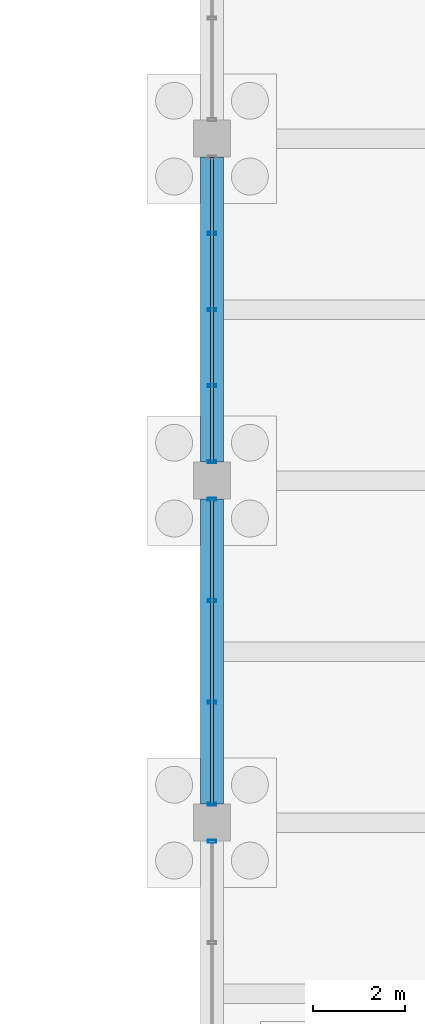
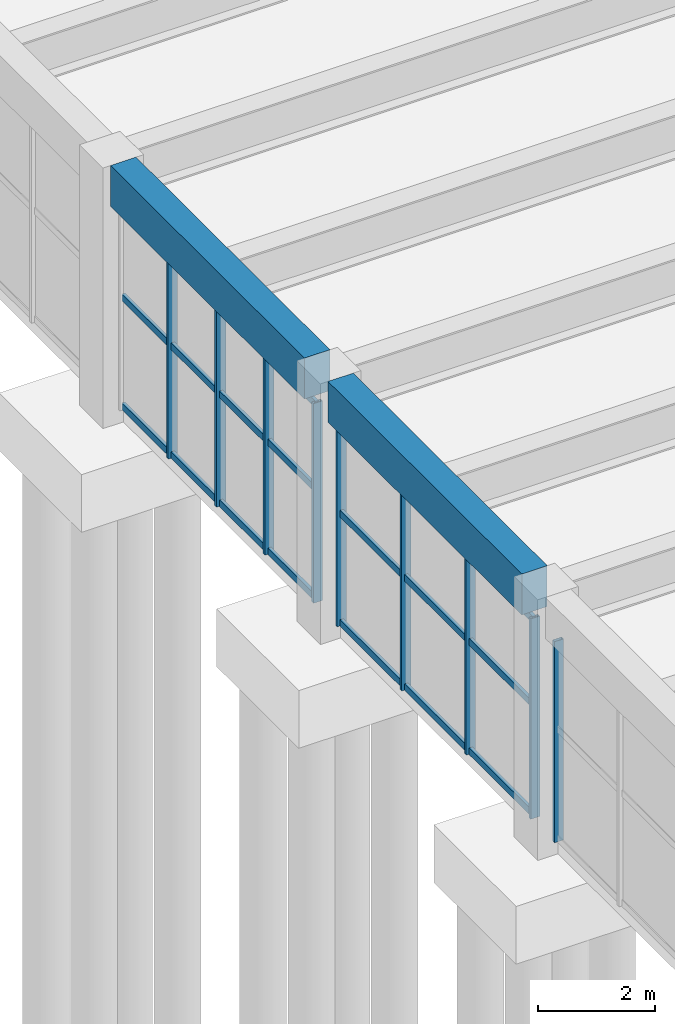
# One storey, part 74 of 140: 15 members, 2 beams, 3 elements without a shape of their own.
"""IFC4 building model written with IfcOpenShell, lengths in metres."""

from ifc_helpers import new_model, si_unit, direction, frame, origin, origin_2d, place, context, subcontext, project, spatial, rectangle, hollow_rectangle, extrude, material, material_profile, profile_set, type_object, element, aggregate, save


model = new_model("IFC4")

# Units and contexts
model_context = context("Model", 3, precision=1e-05, world=origin(), true_north=direction((0.0, 1.0)))
body_context = subcontext(model_context, "Body", "Model", "MODEL_VIEW")
ifc_project = project(units=[si_unit("LENGTHUNIT", "METRE"), si_unit("AREAUNIT", "SQUARE_METRE"), si_unit("VOLUMEUNIT", "CUBIC_METRE"), si_unit("PLANEANGLEUNIT", "RADIAN"), si_unit("MASSUNIT", "GRAM", prefix="KILO")], contexts=[model_context])

# Site, building, storey
site_placement = place(None, origin())
site = spatial("IfcSite", under=ifc_project, at=site_placement, CompositionType="ELEMENT")
building_placement = place(site_placement, origin())
building = spatial("IfcBuilding", under=site, at=building_placement, Name="Cimatlan Art Gallery", CompositionType="ELEMENT")
storey_placement = place(building_placement, origin())
storey = spatial("IfcBuildingStorey", under=building, at=storey_placement, Name="L00", CompositionType="ELEMENT", Elevation=0.0)

# Beams
ifc_material_1 = material(Name="Concrete C40/50", Category="concrete")
ifc_material_profile_1 = material_profile(ifc_material_1, rectangle(XDim=0.5, YDim=0.85009765625, at=origin_2d()), Name="RC500X850")
ifc_profile_set_1 = profile_set([ifc_material_profile_1], Name="Concrete C40/50")
beam_type = type_object("IfcBeamType", Name="BM-RC-500X850", PredefinedType="BEAM", material=ifc_profile_set_1)
for number, where, z_axis, x_axis, name in (
    (1, (74.89990234375, 83.5, 4.7099609375), (0.0, 1.0, 0.0), (-1.0, 0.0, 0.0), "BM-Y-L00-09-11"),
    (2, (74.89990234375, 90.89990234375, 4.7099609375), (0.0, 1.0, 0.0), (-1.0, 0.0, 0.0), "BM-Y-L00-09-12"),
):
    element("IfcBeam", number, at=place(storey_placement, frame(where, z_axis=z_axis, x_axis=x_axis)), inside=storey, type_object=beam_type, Name=name, PredefinedType="BEAM", context=body_context, shape_type="SweptSolid", body=[
        extrude(rectangle(XDim=0.5, YDim=0.85009765625, at=origin_2d()), origin(), (0.0, 0.0, 1.0), 6.60009765625),
    ])

# Curtain wall, member
ifc_material_2 = material(Name="Anodised bronze unitised curtain wall")
curtain_wall_type_1 = type_object("IfcCurtainWallType", Name="CW-V-06592X04178-B3", PredefinedType="NOTDEFINED", material=ifc_material_2)
curtain_wall_1_placement = place(storey_placement, origin())
curtain_wall_1 = element("IfcCurtainWall", 3, at=curtain_wall_1_placement, inside=storey, type_object=curtain_wall_type_1, Name="CW-L00-09-10-W", PredefinedType="NOTDEFINED")
ifc_material_3 = material(Name="Anodised bronze aluminium 6063-T6", Category="aluminium")
ifc_material_profile_2 = material_profile(ifc_material_3, hollow_rectangle(XDim=0.06494140625, YDim=0.179931640625, WallThickness=0.00390625, at=origin_2d()), Name="ALU65X180X4")
ifc_profile_set_2 = profile_set([ifc_material_profile_2], Name="Anodised bronze aluminium 6063-T6")
member_type_1 = type_object("IfcMemberType", Name="CW-MUL-180", PredefinedType="MULLION", material=ifc_profile_set_2)
member_1_placement = place(storey_placement, frame((74.89990234375, 82.696044921875, 0.0), z_axis=(0.0, 0.0, 1.0), x_axis=(0.0, 1.0, 0.0)))
member_1 = element("IfcMember", 4, at=member_1_placement, type_object=member_type_1, Name="CW-L00-09-10-W-M4", PredefinedType="MULLION", context=body_context, shape_type="SweptSolid", body=[
    extrude(hollow_rectangle(XDim=0.06494140625, YDim=0.179931640625, WallThickness=0.00390625, at=origin_2d()), origin(), (0.0, 0.0, 1.0), 4.177978515625),
])
aggregate(curtain_wall_1, [member_1])

# Curtain wall, members
curtain_wall_type_2 = type_object("IfcCurtainWallType", Name="CW-V-06592X04163-B3", PredefinedType="NOTDEFINED", material=ifc_material_2)
curtain_wall_2_placement = place(storey_placement, origin())
curtain_wall_2 = element("IfcCurtainWall", 5, at=curtain_wall_2_placement, inside=storey, type_object=curtain_wall_type_2, Name="CW-L00-09-11-W", PredefinedType="NOTDEFINED")
member_2_placement = place(storey_placement, frame((74.89990234375, 83.50390625, 0.0), z_axis=(0.0, 0.0, 1.0), x_axis=(0.0, 1.0, 0.0)))
member_2 = element("IfcMember", 6, at=member_2_placement, type_object=member_type_1, Name="CW-L00-09-11-W-M1", PredefinedType="MULLION", context=body_context, shape_type="SweptSolid", body=[
    extrude(hollow_rectangle(XDim=0.06494140625, YDim=0.179931640625, WallThickness=0.00390625, at=origin_2d()), origin(), (0.0, 0.0, 1.0), 4.1630859375),
])
member_3_placement = place(storey_placement, frame((74.89990234375, 85.701416015625, 0.0), z_axis=(0.0, 0.0, 1.0), x_axis=(0.0, 1.0, 0.0)))
member_3 = element("IfcMember", 7, at=member_3_placement, type_object=member_type_1, Name="CW-L00-09-11-W-M2", PredefinedType="MULLION", context=body_context, shape_type="SweptSolid", body=[
    extrude(hollow_rectangle(XDim=0.06494140625, YDim=0.179931640625, WallThickness=0.00390625, at=origin_2d()), origin(), (0.0, 0.0, 1.0), 4.1630859375),
])
member_4_placement = place(storey_placement, frame((74.89990234375, 87.898681640625, 0.0), z_axis=(0.0, 0.0, 1.0), x_axis=(0.0, 1.0, 0.0)))
member_4 = element("IfcMember", 8, at=member_4_placement, type_object=member_type_1, Name="CW-L00-09-11-W-M3", PredefinedType="MULLION", context=body_context, shape_type="SweptSolid", body=[
    extrude(hollow_rectangle(XDim=0.06494140625, YDim=0.179931640625, WallThickness=0.00390625, at=origin_2d()), origin(), (0.0, 0.0, 1.0), 4.1630859375),
])
member_5_placement = place(storey_placement, frame((74.89990234375, 90.095947265625, 0.0), z_axis=(0.0, 0.0, 1.0), x_axis=(0.0, 1.0, 0.0)))
member_5 = element("IfcMember", 9, at=member_5_placement, type_object=member_type_1, Name="CW-L00-09-11-W-M4", PredefinedType="MULLION", context=body_context, shape_type="SweptSolid", body=[
    extrude(hollow_rectangle(XDim=0.06494140625, YDim=0.179931640625, WallThickness=0.00390625, at=origin_2d()), origin(), (0.0, 0.0, 1.0), 4.1630859375),
])

curtain_wall_type_3 = type_object("IfcCurtainWallType", Name="CW-V-06592X04148-B4", PredefinedType="NOTDEFINED", material=ifc_material_2)
curtain_wall_3_placement = place(storey_placement, origin())
curtain_wall_3 = element("IfcCurtainWall", 10, at=curtain_wall_3_placement, inside=storey, type_object=curtain_wall_type_3, Name="CW-L00-09-12-W", PredefinedType="NOTDEFINED")
member_6_placement = place(storey_placement, frame((74.89990234375, 90.904052734375, 0.0), z_axis=(0.0, 0.0, 1.0), x_axis=(0.0, 1.0, 0.0)))
member_6 = element("IfcMember", 11, at=member_6_placement, type_object=member_type_1, Name="CW-L00-09-12-W-M1", PredefinedType="MULLION", context=body_context, shape_type="SweptSolid", body=[
    extrude(hollow_rectangle(XDim=0.06494140625, YDim=0.179931640625, WallThickness=0.00390625, at=origin_2d()), origin(), (0.0, 0.0, 1.0), 4.14794921875),
])
member_7_placement = place(storey_placement, frame((74.89990234375, 92.552001953125, 0.0), z_axis=(0.0, 0.0, 1.0), x_axis=(0.0, 1.0, 0.0)))
member_7 = element("IfcMember", 12, at=member_7_placement, type_object=member_type_1, Name="CW-L00-09-12-W-M2", PredefinedType="MULLION", context=body_context, shape_type="SweptSolid", body=[
    extrude(hollow_rectangle(XDim=0.06494140625, YDim=0.179931640625, WallThickness=0.00390625, at=origin_2d()), origin(), (0.0, 0.0, 1.0), 4.14794921875),
])
member_8_placement = place(storey_placement, frame((74.89990234375, 94.199951171875, 0.0), z_axis=(0.0, 0.0, 1.0), x_axis=(0.0, 1.0, 0.0)))
member_8 = element("IfcMember", 13, at=member_8_placement, type_object=member_type_1, Name="CW-L00-09-12-W-M3", PredefinedType="MULLION", context=body_context, shape_type="SweptSolid", body=[
    extrude(hollow_rectangle(XDim=0.06494140625, YDim=0.179931640625, WallThickness=0.00390625, at=origin_2d()), origin(), (0.0, 0.0, 1.0), 4.14794921875),
])
member_9_placement = place(storey_placement, frame((74.89990234375, 95.847900390625, 0.0), z_axis=(0.0, 0.0, 1.0), x_axis=(0.0, 1.0, 0.0)))
member_9 = element("IfcMember", 14, at=member_9_placement, type_object=member_type_1, Name="CW-L00-09-12-W-M4", PredefinedType="MULLION", context=body_context, shape_type="SweptSolid", body=[
    extrude(hollow_rectangle(XDim=0.06494140625, YDim=0.179931640625, WallThickness=0.00390625, at=origin_2d()), origin(), (0.0, 0.0, 1.0), 4.14794921875),
])

# Member
ifc_material_profile_3 = material_profile(ifc_material_3, hollow_rectangle(XDim=0.06494140625, YDim=0.139892578125, WallThickness=0.00390625, at=origin_2d()), Name="ALU65X140X4")
ifc_profile_set_3 = profile_set([ifc_material_profile_3], Name="Anodised bronze aluminium 6063-T6")
member_type_2 = type_object("IfcMemberType", Name="CW-TRN-140", PredefinedType="USERDEFINED", material=ifc_profile_set_3)
member_10_placement = place(storey_placement, frame((74.89990234375, 83.50390625, 0.06005859375), z_axis=(0.0, 1.0, 0.0), x_axis=(-1.0, 0.0, 0.0)))
member_10 = element("IfcMember", 15, at=member_10_placement, type_object=member_type_2, Name="CW-L00-09-11-W-T1", ObjectType="TRANSOM", PredefinedType="USERDEFINED", context=body_context, shape_type="SweptSolid", body=[
    extrude(hollow_rectangle(XDim=0.06494140625, YDim=0.139892578125, WallThickness=0.00390625, at=origin_2d()), origin(), (0.0, 0.0, 1.0), 6.592041015625),
])

member_11_placement = place(storey_placement, frame((74.89990234375, 83.50390625, 2.331298828125), z_axis=(0.0, 1.0, 0.0), x_axis=(-1.0, 0.0, 0.0)))
member_11 = element("IfcMember", 16, at=member_11_placement, type_object=member_type_2, Name="CW-L00-09-11-W-T2", ObjectType="TRANSOM", PredefinedType="USERDEFINED", context=body_context, shape_type="SweptSolid", body=[
    extrude(hollow_rectangle(XDim=0.06494140625, YDim=0.139892578125, WallThickness=0.00390625, at=origin_2d()), origin(), (0.0, 0.0, 1.0), 6.592041015625),
])

member_12_placement = place(storey_placement, frame((74.89990234375, 83.50390625, 4.10302734375), z_axis=(0.0, 1.0, 0.0), x_axis=(-1.0, 0.0, 0.0)))
member_12 = element("IfcMember", 17, at=member_12_placement, type_object=member_type_2, Name="CW-L00-09-11-W-T3", ObjectType="TRANSOM", PredefinedType="USERDEFINED", context=body_context, shape_type="SweptSolid", body=[
    extrude(hollow_rectangle(XDim=0.06494140625, YDim=0.139892578125, WallThickness=0.00390625, at=origin_2d()), origin(), (0.0, 0.0, 1.0), 6.592041015625),
])

aggregate(curtain_wall_2, [member_2, member_3, member_4, member_5, member_10, member_11, member_12])

member_13_placement = place(storey_placement, frame((74.89990234375, 90.904052734375, 0.06005859375), z_axis=(0.0, 1.0, 0.0), x_axis=(-1.0, 0.0, 0.0)))
member_13 = element("IfcMember", 18, at=member_13_placement, type_object=member_type_2, Name="CW-L00-09-12-W-T1", ObjectType="TRANSOM", PredefinedType="USERDEFINED", context=body_context, shape_type="SweptSolid", body=[
    extrude(hollow_rectangle(XDim=0.06494140625, YDim=0.139892578125, WallThickness=0.00390625, at=origin_2d()), origin(), (0.0, 0.0, 1.0), 6.592041015625),
])

member_14_placement = place(storey_placement, frame((74.89990234375, 90.904052734375, 2.322998046875), z_axis=(0.0, 1.0, 0.0), x_axis=(-1.0, 0.0, 0.0)))
member_14 = element("IfcMember", 19, at=member_14_placement, type_object=member_type_2, Name="CW-L00-09-12-W-T2", ObjectType="TRANSOM", PredefinedType="USERDEFINED", context=body_context, shape_type="SweptSolid", body=[
    extrude(hollow_rectangle(XDim=0.06494140625, YDim=0.139892578125, WallThickness=0.00390625, at=origin_2d()), origin(), (0.0, 0.0, 1.0), 6.592041015625),
])

member_15_placement = place(storey_placement, frame((74.89990234375, 90.904052734375, 4.087890625), z_axis=(0.0, 1.0, 0.0), x_axis=(-1.0, 0.0, 0.0)))
member_15 = element("IfcMember", 20, at=member_15_placement, type_object=member_type_2, Name="CW-L00-09-12-W-T3", ObjectType="TRANSOM", PredefinedType="USERDEFINED", context=body_context, shape_type="SweptSolid", body=[
    extrude(hollow_rectangle(XDim=0.06494140625, YDim=0.139892578125, WallThickness=0.00390625, at=origin_2d()), origin(), (0.0, 0.0, 1.0), 6.592041015625),
])

aggregate(curtain_wall_3, [member_6, member_7, member_8, member_9, member_13, member_14, member_15])

save(model, "model.ifc")
